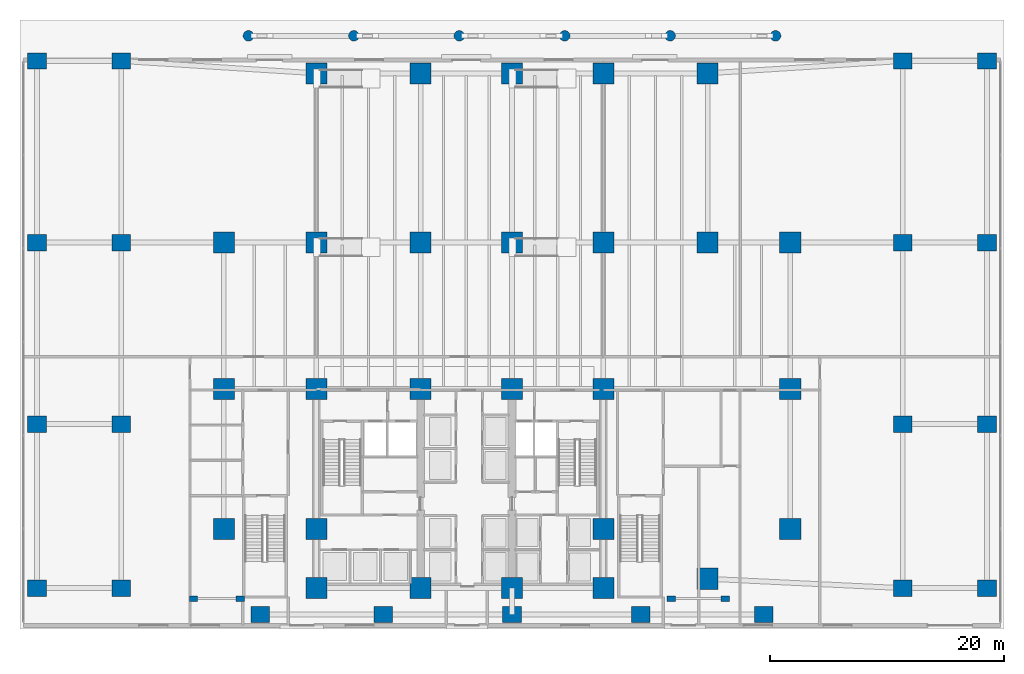
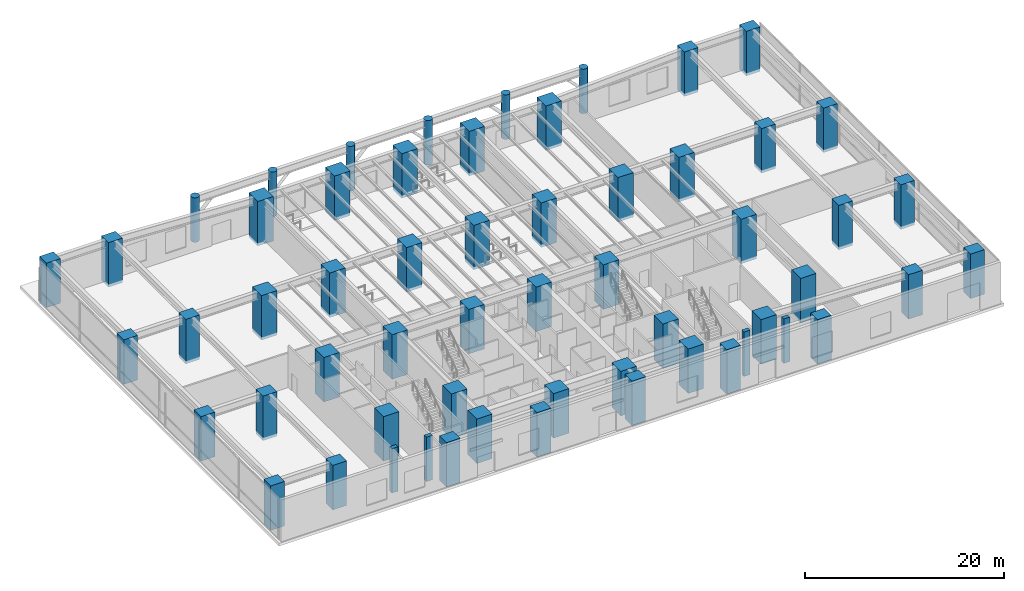
# One storey, part 1 of 19: 58 columns.
"""IFC4 building model written with IfcOpenShell, lengths in metres."""

from ifc_helpers import new_model, si_unit, direction, frame, origin, origin_2d, place, context, subcontext, project, spatial, rectangle, circle, extrude, material, material_profile, profile_set, type_object, element, save


model = new_model("IFC4")

# Units and contexts
model_context = context("Model", 3, precision=1e-05, world=origin(), true_north=direction((0.0, 1.0)))
body_context = subcontext(model_context, "Body", "Model", "MODEL_VIEW")
ifc_project = project(units=[si_unit("LENGTHUNIT", "METRE"), si_unit("AREAUNIT", "SQUARE_METRE"), si_unit("VOLUMEUNIT", "CUBIC_METRE"), si_unit("PLANEANGLEUNIT", "RADIAN"), si_unit("MASSUNIT", "GRAM", prefix="KILO")], contexts=[model_context])

# Site, building, storey
site_placement = place(None, origin())
site = spatial("IfcSite", under=ifc_project, at=site_placement, CompositionType="ELEMENT")
building_placement = place(site_placement, origin())
building = spatial("IfcBuilding", under=site, at=building_placement, Name="Qalmaran Belvedere Hotel", CompositionType="ELEMENT")
storey_placement = place(building_placement, origin())
storey = spatial("IfcBuildingStorey", under=building, at=storey_placement, Name="L00", CompositionType="ELEMENT", Elevation=0.0)

# Columns
ifc_material_1 = material(Name="Concrete C60/75", Category="concrete")
ifc_material_profile_1 = material_profile(ifc_material_1, circle(Radius=0.449951171875, at=origin_2d()), Name="RC900D")
ifc_profile_set_1 = profile_set([ifc_material_profile_1], Name="Concrete C60/75")
column_type_1 = type_object("IfcColumnType", Name="COL-FOY-RC900D", PredefinedType="COLUMN", material=ifc_profile_set_1)
for number, where, z_axis, x_axis, name in (
    (1, (14.5, 50.64990234375, -0.35009765625), (0.0, 0.0, 1.0), (1.0, 0.0, 0.0), "L00 Column PN1"),
    (2, (23.5, 50.64990234375, -0.35009765625), (0.0, 0.0, 1.0), (1.0, 0.0, 0.0), "L00 Column PN2"),
    (3, (32.5, 50.64990234375, -0.35009765625), (0.0, 0.0, 1.0), (1.0, 0.0, 0.0), "L00 Column PN3"),
    (4, (41.5, 50.64990234375, -0.35009765625), (0.0, 0.0, 1.0), (1.0, 0.0, 0.0), "L00 Column PN4"),
    (5, (50.5, 50.64990234375, -0.35009765625), (0.0, 0.0, 1.0), (1.0, 0.0, 0.0), "L00 Column PN5"),
    (6, (59.5, 50.64990234375, -0.35009765625), (0.0, 0.0, 1.0), (1.0, 0.0, 0.0), "L00 Column PN6"),
):
    element("IfcColumn", number, at=place(storey_placement, frame(where, z_axis=z_axis, x_axis=x_axis)), inside=storey, type_object=column_type_1, Name=name, PredefinedType="COLUMN", context=body_context, shape_type="SweptSolid", body=[
        extrude(circle(Radius=0.449951171875, at=origin_2d()), origin(), (0.0, 0.0, 1.0), 5.4501953125),
    ])
ifc_material_profile_2 = material_profile(ifc_material_1, rectangle(XDim=1.60009765625, YDim=1.39990234375, at=origin_2d()), Name="MC1600X1400")
ifc_profile_set_2 = profile_set([ifc_material_profile_2], Name="Concrete C60/75")
column_type_2 = type_object("IfcColumnType", Name="COL-POD-MC1600", PredefinedType="COLUMN", material=ifc_profile_set_2)
for number, where, z_axis, x_axis, name in (
    (7, (-3.550048828125, 3.5, -0.35009765625), (0.0, 0.0, 1.0), (1.0, 0.0, 0.0), "L00 Column PW1"),
    (8, (3.64990234375, 3.5, -0.35009765625), (0.0, 0.0, 1.0), (1.0, 0.0, 0.0), "L00 Column PW2"),
    (9, (-3.550048828125, 17.5, -0.35009765625), (0.0, 0.0, 1.0), (1.0, 0.0, 0.0), "L00 Column PW3"),
    (10, (3.64990234375, 17.5, -0.35009765625), (0.0, 0.0, 1.0), (1.0, 0.0, 0.0), "L00 Column PW4"),
    (11, (-3.550048828125, 33.0, -0.35009765625), (0.0, 0.0, 1.0), (1.0, 0.0, 0.0), "L00 Column PW5"),
    (12, (3.64990234375, 33.0, -0.35009765625), (0.0, 0.0, 1.0), (1.0, 0.0, 0.0), "L00 Column PW6"),
    (13, (-3.550048828125, 48.5, -0.35009765625), (0.0, 0.0, 1.0), (1.0, 0.0, 0.0), "L00 Column PW7"),
    (14, (3.64990234375, 48.5, -0.35009765625), (0.0, 0.0, 1.0), (1.0, 0.0, 0.0), "L00 Column PW8"),
    (15, (70.35009765625, 3.5, -0.35009765625), (0.0, 0.0, 1.0), (1.0, 0.0, 0.0), "L00 Column PE1"),
    (16, (77.550048828125, 3.5, -0.35009765625), (0.0, 0.0, 1.0), (1.0, 0.0, 0.0), "L00 Column PE2"),
    (17, (70.35009765625, 17.5, -0.35009765625), (0.0, 0.0, 1.0), (1.0, 0.0, 0.0), "L00 Column PE3"),
    (18, (77.550048828125, 17.5, -0.35009765625), (0.0, 0.0, 1.0), (1.0, 0.0, 0.0), "L00 Column PE4"),
    (19, (70.35009765625, 33.0, -0.35009765625), (0.0, 0.0, 1.0), (1.0, 0.0, 0.0), "L00 Column PE5"),
    (20, (77.550048828125, 33.0, -0.35009765625), (0.0, 0.0, 1.0), (1.0, 0.0, 0.0), "L00 Column PE6"),
    (21, (70.35009765625, 48.5, -0.35009765625), (0.0, 0.0, 1.0), (1.0, 0.0, 0.0), "L00 Column PE7"),
    (22, (77.550048828125, 48.5, -0.35009765625), (0.0, 0.0, 1.0), (1.0, 0.0, 0.0), "L00 Column PE8"),
    (23, (15.5, 1.25, -0.35009765625), (0.0, 0.0, 1.0), (1.0, 0.0, 0.0), "L00 Column PS1"),
    (24, (26.0, 1.25, -0.35009765625), (0.0, 0.0, 1.0), (1.0, 0.0, 0.0), "L00 Column PS2"),
    (25, (37.0, 1.25, -0.35009765625), (0.0, 0.0, 1.0), (1.0, 0.0, 0.0), "L00 Column PS3"),
    (26, (48.0, 1.25, -0.35009765625), (0.0, 0.0, 1.0), (1.0, 0.0, 0.0), "L00 Column PS4"),
    (27, (58.5, 1.25, -0.35009765625), (0.0, 0.0, 1.0), (1.0, 0.0, 0.0), "L00 Column PS5"),
):
    element("IfcColumn", number, at=place(storey_placement, frame(where, z_axis=z_axis, x_axis=x_axis)), inside=storey, type_object=column_type_2, Name=name, PredefinedType="COLUMN", context=body_context, shape_type="SweptSolid", body=[
        extrude(rectangle(XDim=1.60009765625, YDim=1.39990234375, at=origin_2d()), origin(), (0.0, 0.0, 1.0), 5.4501953125),
    ])
ifc_material_profile_3 = material_profile(ifc_material_1, rectangle(XDim=1.800048828125, YDim=1.800048828125, at=origin_2d()), Name="MC1800X1800")
ifc_profile_set_3 = profile_set([ifc_material_profile_3], Name="Concrete C60/75")
column_type_3 = type_object("IfcColumnType", Name="COL-POD-MC1800", PredefinedType="COLUMN", material=ifc_profile_set_3)
for number, where, z_axis, x_axis, name in (
    (28, (20.300048828125, 3.5, -0.35009765625), (0.0, 0.0, 1.0), (1.0, 0.0, 0.0), "L00 Column C4B"),
    (29, (29.199951171875, 3.5, -0.35009765625), (0.0, 0.0, 1.0), (1.0, 0.0, 0.0), "L00 Column C5B"),
    (30, (37.0, 3.5, -0.35009765625), (0.0, 0.0, 1.0), (1.0, 0.0, 0.0), "L00 Column C6B"),
    (31, (44.800048828125, 3.5, -0.35009765625), (0.0, 0.0, 1.0), (1.0, 0.0, 0.0), "L00 Column C7B"),
    (32, (20.300048828125, 8.550048828125, -0.35009765625), (0.0, 0.0, 1.0), (1.0, 0.0, 0.0), "L00 Column C4C"),
    (33, (44.800048828125, 8.550048828125, -0.35009765625), (0.0, 0.0, 1.0), (1.0, 0.0, 0.0), "L00 Column C7C"),
    (34, (20.300048828125, 20.5, -0.35009765625), (0.0, 0.0, 1.0), (1.0, 0.0, 0.0), "L00 Column C4D"),
    (35, (29.199951171875, 20.5, -0.35009765625), (0.0, 0.0, 1.0), (1.0, 0.0, 0.0), "L00 Column C5D"),
    (36, (37.0, 20.5, -0.35009765625), (0.0, 0.0, 1.0), (1.0, 0.0, 0.0), "L00 Column C6D"),
    (37, (44.800048828125, 20.5, -0.35009765625), (0.0, 0.0, 1.0), (1.0, 0.0, 0.0), "L00 Column C7D"),
    (38, (20.300048828125, 33.0, -0.35009765625), (0.0, 0.0, 1.0), (1.0, 0.0, 0.0), "L00 Column C4F"),
    (39, (29.199951171875, 33.0, -0.35009765625), (0.0, 0.0, 1.0), (1.0, 0.0, 0.0), "L00 Column C5F"),
    (40, (37.0, 33.0, -0.35009765625), (0.0, 0.0, 1.0), (1.0, 0.0, 0.0), "L00 Column C6F"),
    (41, (44.800048828125, 33.0, -0.35009765625), (0.0, 0.0, 1.0), (1.0, 0.0, 0.0), "L00 Column C7F"),
    (42, (12.39990234375, 8.550048828125, -0.35009765625), (0.0, 0.0, 1.0), (1.0, 0.0, 0.0), "L00 Column CW1"),
    (43, (12.39990234375, 20.5, -0.35009765625), (0.0, 0.0, 1.0), (1.0, 0.0, 0.0), "L00 Column CW3"),
    (44, (12.39990234375, 33.0, -0.35009765625), (0.0, 0.0, 1.0), (1.0, 0.0, 0.0), "L00 Column CW4"),
    (45, (20.300048828125, 47.449951171875, -0.35009765625), (0.0, 0.0, 1.0), (1.0, 0.0, 0.0), "L00 Column CN1"),
    (46, (29.199951171875, 47.449951171875, -0.35009765625), (0.0, 0.0, 1.0), (1.0, 0.0, 0.0), "L00 Column CN2"),
    (47, (37.0, 47.449951171875, -0.35009765625), (0.0, 0.0, 1.0), (1.0, 0.0, 0.0), "L00 Column CN3"),
    (48, (44.800048828125, 47.449951171875, -0.35009765625), (0.0, 0.0, 1.0), (1.0, 0.0, 0.0), "L00 Column CN4"),
    (49, (53.699951171875, 47.449951171875, -0.35009765625), (0.0, 0.0, 1.0), (1.0, 0.0, 0.0), "L00 Column CN5"),
    (50, (60.75, 8.550048828125, -0.35009765625), (0.0, 0.0, 1.0), (1.0, 0.0, 0.0), "L00 Column CE1"),
    (51, (60.75, 20.5, -0.35009765625), (0.0, 0.0, 1.0), (1.0, 0.0, 0.0), "L00 Column CE3"),
    (52, (60.75, 33.0, -0.35009765625), (0.0, 0.0, 1.0), (1.0, 0.0, 0.0), "L00 Column CE4"),
    (53, (53.699951171875, 4.300048828125, -0.35009765625), (0.0, 0.0, 1.0), (1.0, 0.0, 0.0), "L00 Column CSE1"),
    (54, (53.699951171875, 33.0, -0.35009765625), (0.0, 0.0, 1.0), (1.0, 0.0, 0.0), "L00 Column CSN5"),
):
    element("IfcColumn", number, at=place(storey_placement, frame(where, z_axis=z_axis, x_axis=x_axis)), inside=storey, type_object=column_type_3, Name=name, PredefinedType="COLUMN", context=body_context, shape_type="SweptSolid", body=[
        extrude(rectangle(XDim=1.800048828125, YDim=1.800048828125, at=origin_2d()), origin(), (0.0, 0.0, 1.0), 5.4501953125),
    ])
ifc_material_2 = material(Name="Concrete C40/50", Category="concrete")
ifc_material_profile_4 = material_profile(ifc_material_2, rectangle(XDim=0.699951171875, YDim=0.449951171875, at=origin_2d()), Name="PIL700X450")
ifc_profile_set_4 = profile_set([ifc_material_profile_4], Name="Concrete C40/50")
column_type_4 = type_object("IfcColumnType", Name="COL-POD-PIL700", PredefinedType="PILASTER", material=ifc_profile_set_4)
for number, where, z_axis, x_axis, name in (
    (55, (9.800048828125, 2.60009765625, -0.35009765625), (0.0, 0.0, 1.0), (1.0, 0.0, 0.0), "L00 Podium Colonnade Pilaster 01"),
    (56, (13.800048828125, 2.60009765625, -0.35009765625), (0.0, 0.0, 1.0), (1.0, 0.0, 0.0), "L00 Podium Colonnade Pilaster 02"),
    (57, (50.60009765625, 2.60009765625, -0.35009765625), (0.0, 0.0, 1.0), (1.0, 0.0, 0.0), "L00 Podium Colonnade Pilaster 03"),
    (58, (55.199951171875, 2.60009765625, -0.35009765625), (0.0, 0.0, 1.0), (1.0, 0.0, 0.0), "L00 Podium Colonnade Pilaster 04"),
):
    element("IfcColumn", number, at=place(storey_placement, frame(where, z_axis=z_axis, x_axis=x_axis)), inside=storey, type_object=column_type_4, Name=name, PredefinedType="PILASTER", context=body_context, shape_type="SweptSolid", body=[
        extrude(rectangle(XDim=0.699951171875, YDim=0.449951171875, at=origin_2d()), origin(), (0.0, 0.0, 1.0), 5.4501953125),
    ])

save(model, "model.ifc")
